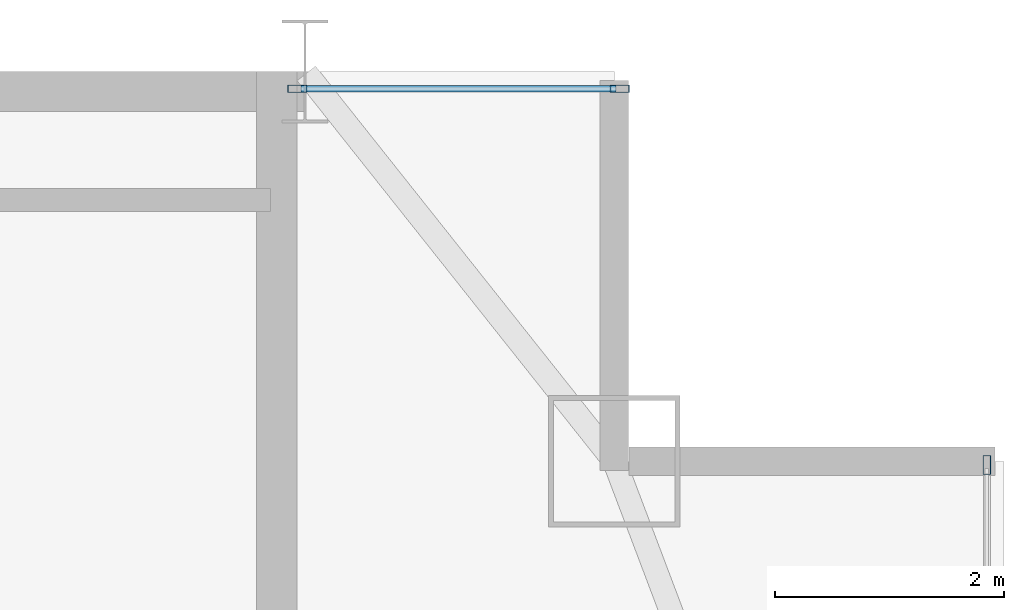
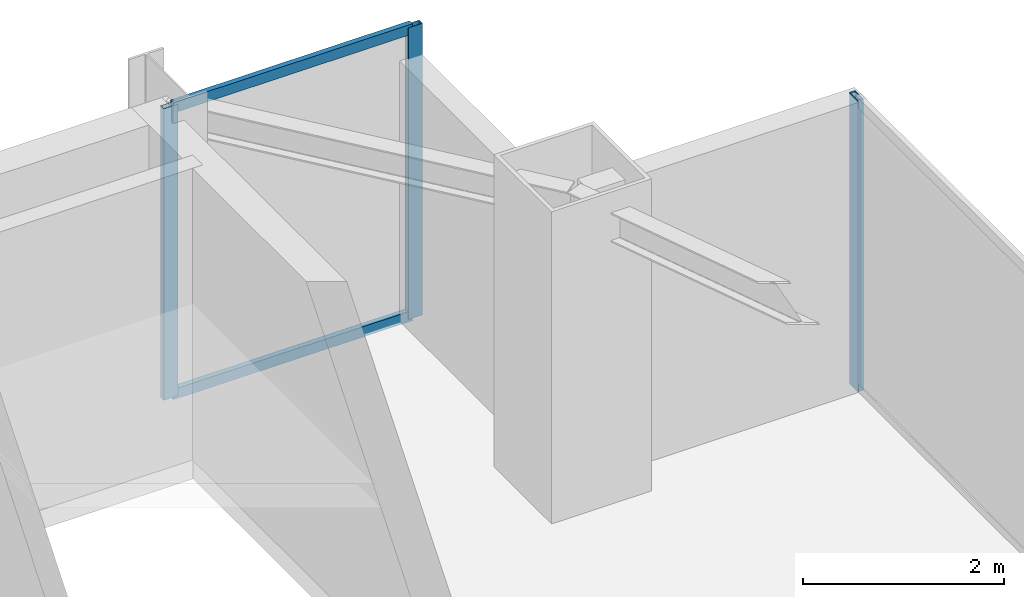
# One storey, part 19 of 26: 5 members, 2 elements without a shape of their own.
"""IFC4 building model written with IfcOpenShell, lengths in metres."""

from ifc_helpers import new_model, si_unit, direction, frame, origin, origin_2d, place, context, subcontext, project, spatial, hollow_rectangle, extrude, source, transform, mapped, material, layer, layer_set, material_profile, profile_set, type_object, type_shapes, element, aggregate, save


model = new_model("IFC4")

# Units and contexts
model_context = context("Model", 3, precision=1e-05, world=origin(), true_north=direction((0.0, 1.0)))
body_context = subcontext(model_context, "Body", "Model", "MODEL_VIEW")
ifc_project = project(units=[si_unit("LENGTHUNIT", "METRE"), si_unit("AREAUNIT", "SQUARE_METRE"), si_unit("VOLUMEUNIT", "CUBIC_METRE"), si_unit("PLANEANGLEUNIT", "RADIAN"), si_unit("MASSUNIT", "GRAM", prefix="KILO")], contexts=[model_context])

# Site, building, storey
site_placement = place(None, origin())
site = spatial("IfcSite", under=ifc_project, at=site_placement, CompositionType="ELEMENT")
building_placement = place(site_placement, origin())
building = spatial("IfcBuilding", under=site, at=building_placement, Name="Varnel Quay Broadcast Tower", CompositionType="ELEMENT")
storey_placement = place(building_placement, frame((0.0, 0.0, 218.800048828125)))
storey = spatial("IfcBuildingStorey", under=building, at=storey_placement, Name="L54", CompositionType="ELEMENT", Elevation=218.800048828125)

# Curtain wall, member
ifc_material = material(Name="Anodised Bronze Aluminium 6063-T6", Category="aluminium")
ifc_layer = layer(ifc_material, 0.18994140625, Name="Anodised Bronze Aluminium 6063-T6")
ifc_layer_set = layer_set([ifc_layer], Name="Anodised Bronze Aluminium 6063-T6")
curtain_wall_type = type_object("IfcCurtainWallType", Name="CW_UpperTower", PredefinedType="NOTDEFINED", material=ifc_layer_set)
curtain_wall_1_placement = place(storey_placement, origin())
curtain_wall_1 = element("IfcCurtainWall", 1, at=curtain_wall_1_placement, inside=storey, type_object=curtain_wall_type, Name="L54 East Unitised Curtain Wall", PredefinedType="NOTDEFINED")
ifc_material_profile_1 = material_profile(ifc_material, hollow_rectangle(XDim=0.06494140625, YDim=0.1650390625, WallThickness=0.00341796875, at=origin_2d()), Name="ALU65X165X3.5")
ifc_profile_set_1 = profile_set([ifc_material_profile_1], Name="Anodised Bronze Aluminium 6063-T6")
member_type_1 = type_object("IfcMemberType", Name="Mull_CWS-03", PredefinedType="MULLION", material=ifc_profile_set_1)
shared_shape_1 = source(origin(), body_context, "Body", "SweptSolid", [
    extrude(hollow_rectangle(XDim=0.06494140625, YDim=0.1650390625, WallThickness=0.00341796875, at=origin_2d()), origin(), (0.0, 0.0, 1.0), 3.550048828125),
])
type_shapes(member_type_1, [shared_shape_1])
member_1_placement = place(storey_placement, frame((58.35009765625, 43.367431640625, 0.0), z_axis=(0.0, 0.0, 1.0), x_axis=(-1.0, 0.0, 0.0)))
member_1 = element("IfcMember", 2, at=member_1_placement, type_object=member_type_1, Name="CWS-03 mullion 3", PredefinedType="MULLION", context=body_context, shape_type="MappedRepresentation", body=[
    mapped(shared_shape_1, transform((0.0, 0.0, 0.0), x_axis=(1.0, 0.0, 0.0), y_axis=(0.0, 1.0, 0.0), z_axis=(0.0, 0.0, 1.0), scale=1.0)),
])
aggregate(curtain_wall_1, [member_1])

# Curtain wall, members
curtain_wall_2_placement = place(storey_placement, origin())
curtain_wall_2 = element("IfcCurtainWall", 3, at=curtain_wall_2_placement, inside=storey, type_object=curtain_wall_type, Name="L54 NE Wing Curtain Wall", PredefinedType="NOTDEFINED")
member_2_placement = place(storey_placement, frame((52.33251953125, 46.64990234375, 0.0), z_axis=(0.0, 0.0, 1.0), x_axis=(0.0, 1.0, 0.0)))
member_2 = element("IfcMember", 4, at=member_2_placement, type_object=member_type_1, Name="CWS-03 mullion 1", PredefinedType="MULLION", context=body_context, shape_type="MappedRepresentation", body=[
    mapped(shared_shape_1, transform((0.0, 0.0, 0.0), x_axis=(1.0, 0.0, 0.0), y_axis=(0.0, 1.0, 0.0), z_axis=(0.0, 0.0, 1.0), scale=1.0)),
])
member_3_placement = place(storey_placement, frame((55.1474609375, 46.64990234375, 0.0), z_axis=(0.0, 0.0, 1.0), x_axis=(0.0, 1.0, 0.0)))
member_3 = element("IfcMember", 5, at=member_3_placement, type_object=member_type_1, Name="CWS-03 mullion 2", PredefinedType="MULLION", context=body_context, shape_type="MappedRepresentation", body=[
    mapped(shared_shape_1, transform((0.0, 0.0, 0.0), x_axis=(1.0, 0.0, 0.0), y_axis=(0.0, 1.0, 0.0), z_axis=(0.0, 0.0, 1.0), scale=1.0)),
])
ifc_material_profile_2 = material_profile(ifc_material, hollow_rectangle(XDim=0.06005859375, YDim=0.125, WallThickness=0.0029296875, at=origin_2d()), Name="ALU60X125X3")
ifc_profile_set_2 = profile_set([ifc_material_profile_2], Name="Anodised Bronze Aluminium 6063-T6")
member_type_2 = type_object("IfcMemberType", Name="Tran_CWS-03", PredefinedType="USERDEFINED", material=ifc_profile_set_2)
shared_shape_2 = source(origin(), body_context, "Body", "SweptSolid", [
    extrude(hollow_rectangle(XDim=0.06005859375, YDim=0.125, WallThickness=0.0029296875, at=origin_2d()), origin(), (0.0, 0.0, 1.0), 2.75),
])
type_shapes(member_type_2, [shared_shape_2])
member_4_placement = place(storey_placement, frame((52.364990234375, 46.64990234375, 0.030029296875), z_axis=(1.0, 0.0, 0.0), x_axis=(0.0, 1.0, 0.0)))
member_4 = element("IfcMember", 6, at=member_4_placement, type_object=member_type_2, Name="CWS-03 transom 1.1", ObjectType="TRANSOM", PredefinedType="USERDEFINED", context=body_context, shape_type="MappedRepresentation", body=[
    mapped(shared_shape_2, transform((0.0, 0.0, 0.0), x_axis=(1.0, 0.0, 0.0), y_axis=(0.0, 1.0, 0.0), z_axis=(0.0, 0.0, 1.0), scale=1.0)),
])
member_5_placement = place(storey_placement, frame((52.364990234375, 46.64990234375, 3.52001953125), z_axis=(1.0, 0.0, 0.0), x_axis=(0.0, 1.0, 0.0)))
member_5 = element("IfcMember", 7, at=member_5_placement, type_object=member_type_2, Name="CWS-03 transom 1.2", ObjectType="TRANSOM", PredefinedType="USERDEFINED", context=body_context, shape_type="MappedRepresentation", body=[
    mapped(shared_shape_2, transform((0.0, 0.0, 0.0), x_axis=(1.0, 0.0, 0.0), y_axis=(0.0, 1.0, 0.0), z_axis=(0.0, 0.0, 1.0), scale=1.0)),
])
aggregate(curtain_wall_2, [member_2, member_3, member_4, member_5])

save(model, "model.ifc")
